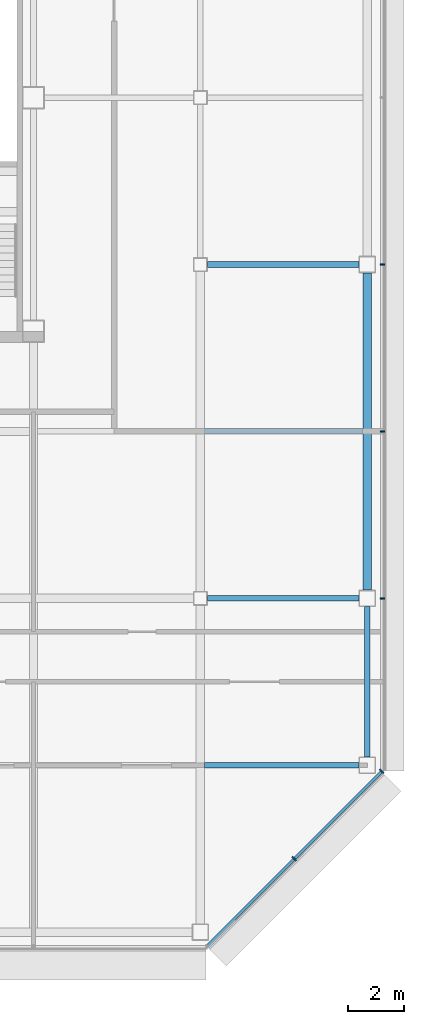
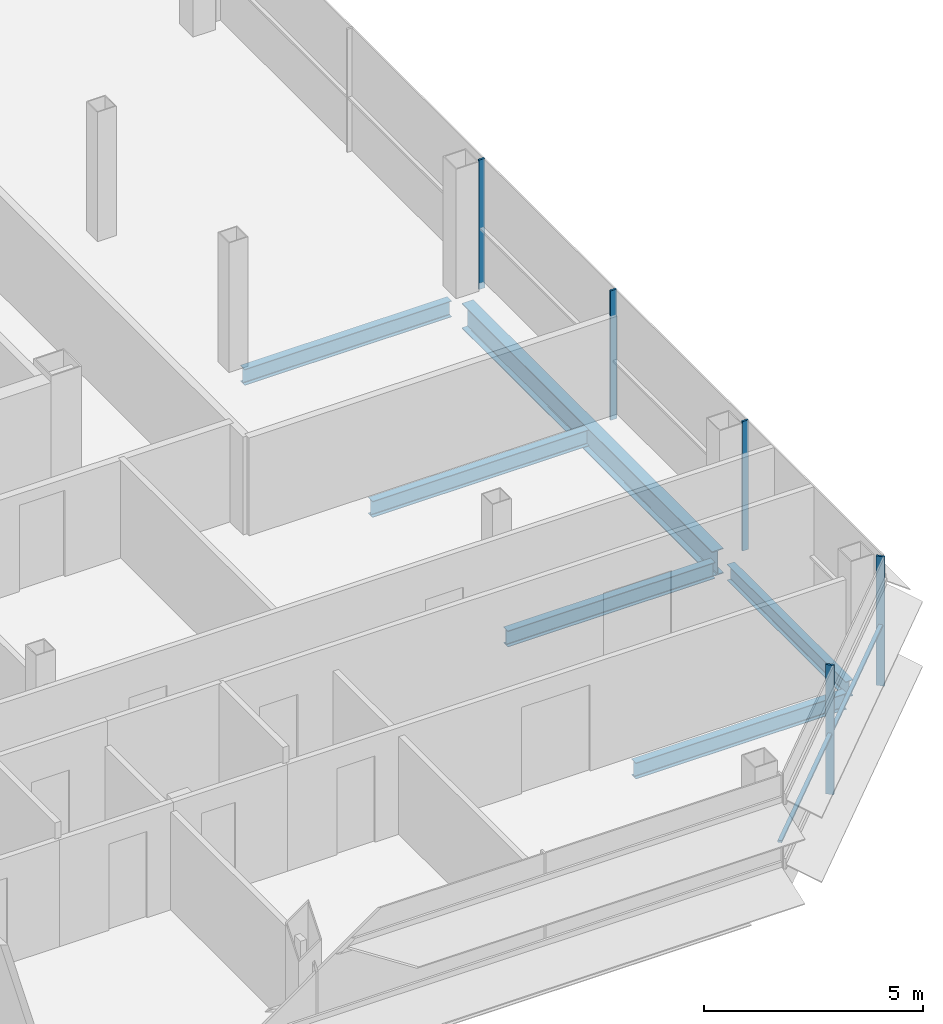
# One storey, part 17 of 28: 6 beams, 6 members, 2 elements without a shape of their own.
"""IFC4 building model written with IfcOpenShell, lengths in metres."""

from ifc_helpers import new_model, si_unit, direction, frame, origin, origin_2d, place, context, subcontext, project, spatial, rectangle, i_section, extrude, material, material_profile, profile_set, type_object, element, aggregate, save


model = new_model("IFC4")

# Units and contexts
model_context = context("Model", 3, precision=1e-05, world=origin(), true_north=direction((0.0, 1.0)))
body_context = subcontext(model_context, "Body", "Model", "MODEL_VIEW")
ifc_project = project(units=[si_unit("LENGTHUNIT", "METRE"), si_unit("AREAUNIT", "SQUARE_METRE"), si_unit("VOLUMEUNIT", "CUBIC_METRE"), si_unit("PLANEANGLEUNIT", "RADIAN"), si_unit("MASSUNIT", "GRAM", prefix="KILO")], contexts=[model_context])

# Site, building, storey
site_placement = place(None, origin())
site = spatial("IfcSite", under=ifc_project, at=site_placement, CompositionType="ELEMENT")
building_placement = place(site_placement, origin())
building = spatial("IfcBuilding", under=site, at=building_placement, Name="Sorahane Residences", CompositionType="ELEMENT")
storey_placement = place(building_placement, frame((0.0, 0.0, 250.39990234375)))
storey = spatial("IfcBuildingStorey", under=building, at=storey_placement, Name="L59", CompositionType="ELEMENT", Elevation=250.39990234375)

# Curtain wall, members
ifc_material_1 = material(Name="Dark low-e glass and black anodised aluminium", Category="aluminium")
curtain_wall_type_1 = type_object("IfcCurtainWallType", Name="Curtain wall CW-1 Typical unitised wall", PredefinedType="NOTDEFINED", material=ifc_material_1)
curtain_wall_1_placement = place(storey_placement, origin())
curtain_wall_1 = element("IfcCurtainWall", 1, at=curtain_wall_1_placement, inside=storey, type_object=curtain_wall_type_1, Name="CW-1 curtain wall L59 E1", PredefinedType="NOTDEFINED")
ifc_material_2 = material(Name="Black anodised aluminium", Category="aluminium")
ifc_material_profile_1 = material_profile(ifc_material_2, rectangle(XDim=0.159912109375, YDim=0.050048828125, at=origin_2d()), Name="Curtain wall mullion CW-1 black anodised aluminium 50x160")
ifc_profile_set_1 = profile_set([ifc_material_profile_1], Name="Black anodised aluminium")
member_type_1 = type_object("IfcMemberType", Name="Curtain wall mullion CW-1 black anodised aluminium 50x160", PredefinedType="MULLION", material=ifc_profile_set_1)
member_1_placement = place(storey_placement, frame((54.5400390625, 12.0, -0.179931640625), z_axis=(0.0, 0.0, 1.0), x_axis=(1.0, 0.0, 0.0)))
member_1 = element("IfcMember", 2, at=member_1_placement, type_object=member_type_1, Name="CW-1 mullion L59 E1.2", PredefinedType="MULLION", context=body_context, shape_type="SweptSolid", body=[
    extrude(rectangle(XDim=0.159912109375, YDim=0.050048828125, at=origin_2d()), origin(), (0.0, 0.0, 1.0), 3.60009765625),
])
member_2_placement = place(storey_placement, frame((54.5400390625, 18.0, -0.179931640625), z_axis=(0.0, 0.0, 1.0), x_axis=(1.0, 0.0, 0.0)))
member_2 = element("IfcMember", 3, at=member_2_placement, type_object=member_type_1, Name="CW-1 mullion L59 E1.3", PredefinedType="MULLION", context=body_context, shape_type="SweptSolid", body=[
    extrude(rectangle(XDim=0.159912109375, YDim=0.050048828125, at=origin_2d()), origin(), (0.0, 0.0, 1.0), 3.60009765625),
])
member_3_placement = place(storey_placement, frame((54.5400390625, 24.0, -0.179931640625), z_axis=(0.0, 0.0, 1.0), x_axis=(1.0, 0.0, 0.0)))
member_3 = element("IfcMember", 4, at=member_3_placement, type_object=member_type_1, Name="CW-1 mullion L59 E1.4", PredefinedType="MULLION", context=body_context, shape_type="SweptSolid", body=[
    extrude(rectangle(XDim=0.159912109375, YDim=0.050048828125, at=origin_2d()), origin(), (0.0, 0.0, 1.0), 3.60009765625),
])
aggregate(curtain_wall_1, [member_1, member_2, member_3])

ifc_material_3 = material(Name="Dark low-e glass and black anodised aluminium", Category="aluminium")
curtain_wall_type_2 = type_object("IfcCurtainWallType", Name="Curtain wall CW-2 Chamfer unitised wall", PredefinedType="NOTDEFINED", material=ifc_material_3)
curtain_wall_2_placement = place(storey_placement, origin())
curtain_wall_2 = element("IfcCurtainWall", 5, at=curtain_wall_2_placement, inside=storey, type_object=curtain_wall_type_2, Name="CW-2 curtain wall L59 SE1", PredefinedType="NOTDEFINED")
ifc_material_4 = material(Name="Black anodised aluminium", Category="aluminium")
ifc_material_profile_2 = material_profile(ifc_material_4, rectangle(XDim=0.199951171875, YDim=0.050048828125, at=origin_2d()), Name="Curtain wall mullion CW-2 black anodised aluminium 50x200")
ifc_profile_set_2 = profile_set([ifc_material_profile_2], Name="Black anodised aluminium")
member_type_2 = type_object("IfcMemberType", Name="Curtain wall mullion CW-2 black anodised aluminium 50x200", PredefinedType="MULLION", material=ifc_profile_set_2)
member_4_placement = place(storey_placement, frame((51.36767578125, 2.63232421875, -0.179931640625), z_axis=(0.0, 0.0, 1.0), x_axis=(0.707106781187, -0.707106781187, 0.0)))
member_4 = element("IfcMember", 6, at=member_4_placement, type_object=member_type_2, Name="CW-2 mullion L59 SE1.2", PredefinedType="MULLION", context=body_context, shape_type="SweptSolid", body=[
    extrude(rectangle(XDim=0.199951171875, YDim=0.050048828125, at=origin_2d()), origin(), (0.0, 0.0, 1.0), 3.60009765625),
])
member_5_placement = place(storey_placement, frame((54.525634765625, 5.790283203125, -0.179931640625), z_axis=(0.0, 0.0, 1.0), x_axis=(0.707106781187, -0.707106781187, 0.0)))
member_5 = element("IfcMember", 7, at=member_5_placement, type_object=member_type_2, Name="CW-2 mullion L59 SE1.3", PredefinedType="MULLION", context=body_context, shape_type="SweptSolid", body=[
    extrude(rectangle(XDim=0.199951171875, YDim=0.050048828125, at=origin_2d()), origin(), (0.0, 0.0, 1.0), 3.60009765625),
])
ifc_material_5 = material(Name="Black anodised aluminium", Category="aluminium")
ifc_material_profile_3 = material_profile(ifc_material_5, rectangle(XDim=0.10009765625, YDim=0.06005859375, at=origin_2d()), Name="Curtain wall transom CW-2 black anodised aluminium 60x100")
ifc_profile_set_3 = profile_set([ifc_material_profile_3], Name="Black anodised aluminium")
member_type_3 = type_object("IfcMemberType", Name="Curtain wall transom CW-2 black anodised aluminium 60x100", PredefinedType="USERDEFINED", material=ifc_profile_set_3)
member_6_placement = place(storey_placement, frame((48.234375, -0.51513671875, 1.5), z_axis=(0.707106781187, 0.707106781187, 0.0), x_axis=(-0.707106781187, 0.707106781187, 0.0)))
member_6 = element("IfcMember", 8, at=member_6_placement, type_object=member_type_3, Name="CW-2 transom L59 SE1", ObjectType="TRANSOM", PredefinedType="USERDEFINED", context=body_context, shape_type="SweptSolid", body=[
    extrude(rectangle(XDim=0.10009765625, YDim=0.06005859375, at=origin_2d()), origin(), (0.0, 0.0, 1.0), 8.88232421875),
])
aggregate(curtain_wall_2, [member_4, member_5, member_6])

# Beams
ifc_material_6 = material(Name="Steel Q355B", Category="steel")
ifc_material_profile_4 = material_profile(ifc_material_6, i_section(OverallWidth=0.199951171875, OverallDepth=0.449951171875, WebThickness=0.009033203125, FlangeThickness=0.013916015625, FilletRadius=0.02001953125, at=origin_2d()), Name="HN 450x200x9x14")
ifc_profile_set_4 = profile_set([ifc_material_profile_4], Name="Steel Q355B")
beam_type_1 = type_object("IfcBeamType", Name="Steel floor beam HN 450x200x9x14 Q355B", PredefinedType="BEAM", material=ifc_profile_set_4)
for number, where, z_axis, x_axis, name in (
    (9, (48.25, 12.0, -0.40478515625), (1.0, 0.0, 0.0), (0.0, 1.0, 0.0), "Beam L59 010"),
    (10, (48.25, 24.0, -0.40478515625), (1.0, 0.0, 0.0), (0.0, 1.0, 0.0), "Beam L59 012"),
):
    element("IfcBeam", number, at=place(storey_placement, frame(where, z_axis=z_axis, x_axis=x_axis)), inside=storey, type_object=beam_type_1, Name=name, PredefinedType="BEAM", context=body_context, shape_type="SweptSolid", body=[
        extrude(i_section(OverallWidth=0.199951171875, OverallDepth=0.449951171875, WebThickness=0.009033203125, FlangeThickness=0.013916015625, FilletRadius=0.02001953125, at=origin_2d()), origin(), (0.0, 0.0, 1.0), 5.449951171875),
    ])
beam_1_placement = place(storey_placement, frame((54.0, 6.300048828125, -0.40478515625), z_axis=(0.0, 1.0, 0.0), x_axis=(-1.0, 0.0, 0.0)))
element("IfcBeam", 11, at=beam_1_placement, inside=storey, type_object=beam_type_1, Name="Beam L59 064", PredefinedType="BEAM", context=body_context, shape_type="SweptSolid", body=[
    extrude(i_section(OverallWidth=0.199951171875, OverallDepth=0.449951171875, WebThickness=0.009033203125, FlangeThickness=0.013916015625, FilletRadius=0.02001953125, at=origin_2d()), origin(), (0.0, 0.0, 1.0), 5.39990234375),
])
beam_2_placement = place(storey_placement, frame((48.14990234375, 6.0, -0.40478515625), z_axis=(1.0, 0.0, 0.0), x_axis=(0.0, 1.0, 0.0)))
element("IfcBeam", 12, at=beam_2_placement, inside=storey, type_object=beam_type_1, Name="Beam L59 077", PredefinedType="BEAM", context=body_context, shape_type="SweptSolid", body=[
    extrude(i_section(OverallWidth=0.199951171875, OverallDepth=0.449951171875, WebThickness=0.009033203125, FlangeThickness=0.013916015625, FilletRadius=0.02001953125, at=origin_2d()), origin(), (0.0, 0.0, 1.0), 5.550048828125),
])
beam_3_placement = place(storey_placement, frame((48.14990234375, 18.0, -0.40478515625), z_axis=(1.0, 0.0, 0.0), x_axis=(0.0, 1.0, 0.0)))
element("IfcBeam", 13, at=beam_3_placement, inside=storey, type_object=beam_type_1, Name="Beam L59 084", PredefinedType="BEAM", context=body_context, shape_type="SweptSolid", body=[
    extrude(i_section(OverallWidth=0.199951171875, OverallDepth=0.449951171875, WebThickness=0.009033203125, FlangeThickness=0.013916015625, FilletRadius=0.02001953125, at=origin_2d()), origin(), (0.0, 0.0, 1.0), 5.7001953125),
])
ifc_material_7 = material(Name="Steel Q355B", Category="steel")
ifc_material_profile_5 = material_profile(ifc_material_7, i_section(OverallWidth=0.300048828125, OverallDepth=0.699951171875, WebThickness=0.012939453125, FlangeThickness=0.02392578125, FilletRadius=0.028076171875, at=origin_2d()), Name="HN 700x300x13x24")
ifc_profile_set_5 = profile_set([ifc_material_profile_5], Name="Steel Q355B")
beam_type_2 = type_object("IfcBeamType", Name="Steel floor beam HN 700x300x13x24 Q355B", PredefinedType="BEAM", material=ifc_profile_set_5)
beam_4_placement = place(storey_placement, frame((54.0, 12.300048828125, -0.52978515625), z_axis=(0.0, 1.0, 0.0), x_axis=(-1.0, 0.0, 0.0)))
element("IfcBeam", 14, at=beam_4_placement, inside=storey, type_object=beam_type_2, Name="Beam L59 065", PredefinedType="BEAM", context=body_context, shape_type="SweptSolid", body=[
    extrude(i_section(OverallWidth=0.300048828125, OverallDepth=0.699951171875, WebThickness=0.012939453125, FlangeThickness=0.02392578125, FilletRadius=0.028076171875, at=origin_2d()), origin(), (0.0, 0.0, 1.0), 11.39990234375),
])

save(model, "model.ifc")
